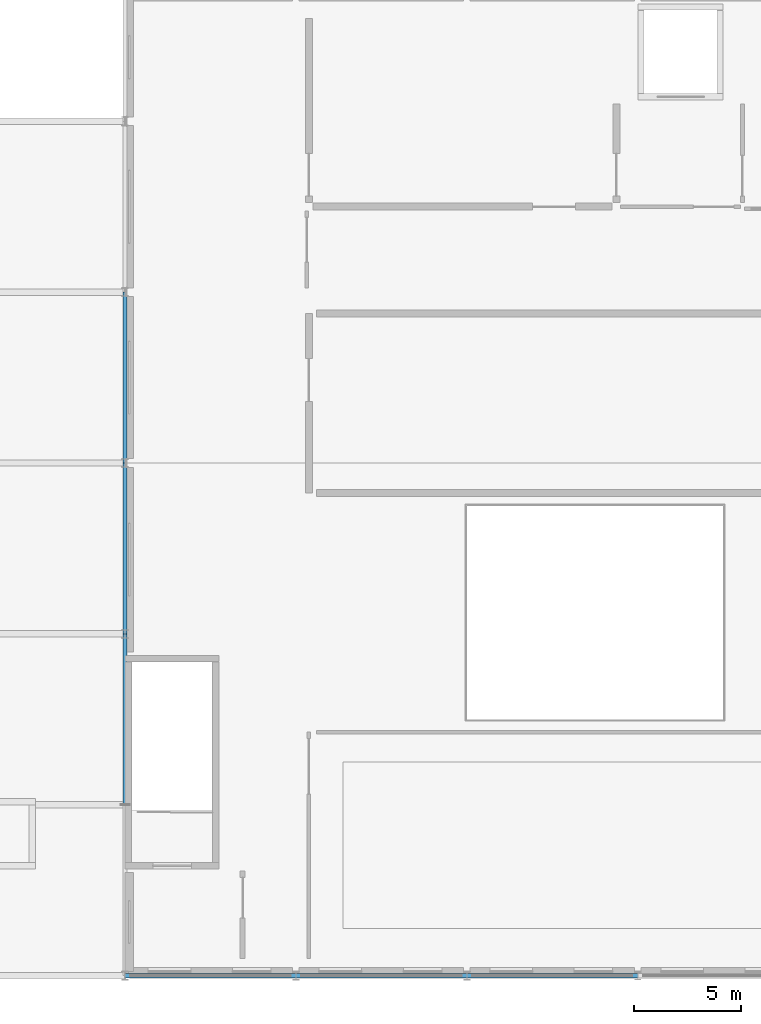
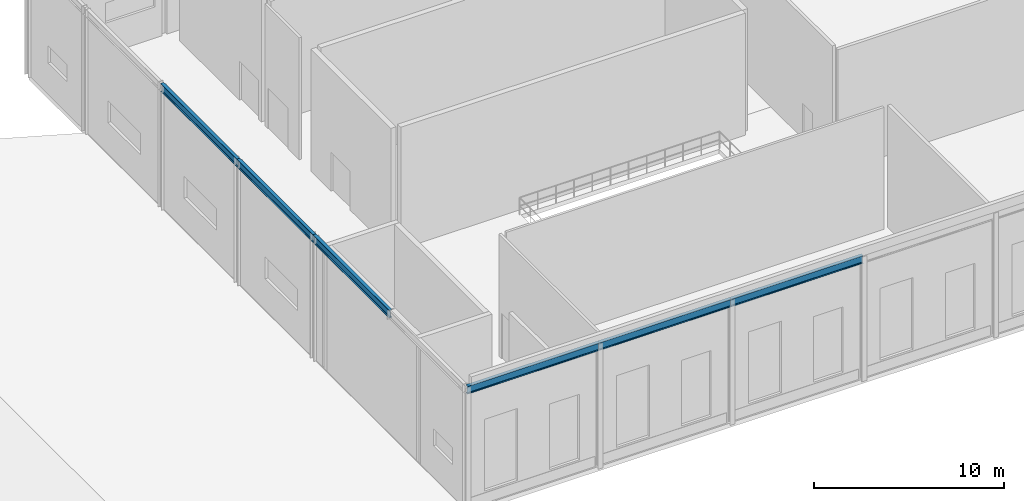
# One storey, part 24 of 49: 6 beams.
"""IFC4 building model written with IfcOpenShell, lengths in metres."""

from ifc_helpers import new_model, si_unit, direction, frame, origin, origin_2d, place, context, subcontext, project, spatial, i_section, extrude, material, material_profile, profile_set, type_object, element, save


model = new_model("IFC4")

# Units and contexts
model_context = context("Model", 3, precision=1e-05, world=origin(), true_north=direction((0.0, 1.0)))
body_context = subcontext(model_context, "Body", "Model", "MODEL_VIEW")
ifc_project = project(units=[si_unit("LENGTHUNIT", "METRE"), si_unit("AREAUNIT", "SQUARE_METRE"), si_unit("VOLUMEUNIT", "CUBIC_METRE"), si_unit("PLANEANGLEUNIT", "RADIAN"), si_unit("MASSUNIT", "GRAM", prefix="KILO")], contexts=[model_context])

# Site, building, storey
site_placement = place(None, origin())
site = spatial("IfcSite", under=ifc_project, at=site_placement, CompositionType="ELEMENT")
building_placement = place(site_placement, origin())
building = spatial("IfcBuilding", under=site, at=building_placement, Name="Sundkrona Museum", CompositionType="ELEMENT")
storey_placement = place(building_placement, frame((0.0, 0.0, 26.0)))
storey = spatial("IfcBuildingStorey", under=building, at=storey_placement, Name="L05", CompositionType="ELEMENT", Elevation=26.0)

# Beams
ifc_material = material(Name="Steel S355J2", Category="steel")
ifc_material_profile = material_profile(ifc_material, i_section(OverallWidth=0.199951171875, OverallDepth=0.5, WebThickness=0.01025390625, FlangeThickness=0.01611328125, FilletRadius=0.02099609375, at=origin_2d()), Name="IPE 500")
ifc_profile_set = profile_set([ifc_material_profile], Name="Steel S355J2")
beam_type = type_object("IfcBeamType", Name="SP-IPE500", PredefinedType="SPANDREL", material=ifc_profile_set)
for number, where, z_axis, x_axis, name in (
    (1, (120.0, 0.0, 7.75), (1.0, 0.0, 0.0), (0.0, 1.0, 0.0), "L05 Roof Ring Girder X-1774"),
    (2, (128.0, 0.0, 7.75), (1.0, 0.0, 0.0), (0.0, 1.0, 0.0), "L05 Roof Ring Girder X-1775"),
    (3, (136.0, 0.0, 7.75), (1.0, 0.0, 0.0), (0.0, 1.0, 0.0), "L05 Roof Ring Girder X-1776"),
    (4, (120.0, 8.0, 7.75), (0.0, 1.0, 0.0), (-1.0, 0.0, 0.0), "L05 Roof Ring Girder Y-1787"),
    (5, (120.0, 16.0, 7.75), (0.0, 1.0, 0.0), (-1.0, 0.0, 0.0), "L05 Roof Ring Girder Y-1788"),
    (6, (120.0, 24.0, 7.75), (0.0, 1.0, 0.0), (-1.0, 0.0, 0.0), "L05 Roof Ring Girder Y-1789"),
):
    element("IfcBeam", number, at=place(storey_placement, frame(where, z_axis=z_axis, x_axis=x_axis)), inside=storey, type_object=beam_type, Name=name, PredefinedType="SPANDREL", context=body_context, shape_type="SweptSolid", body=[
        extrude(i_section(OverallWidth=0.199951171875, OverallDepth=0.5, WebThickness=0.01025390625, FlangeThickness=0.01611328125, FilletRadius=0.02099609375, at=origin_2d()), origin(), (0.0, 0.0, 1.0), 8.0),
    ])

save(model, "model.ifc")
